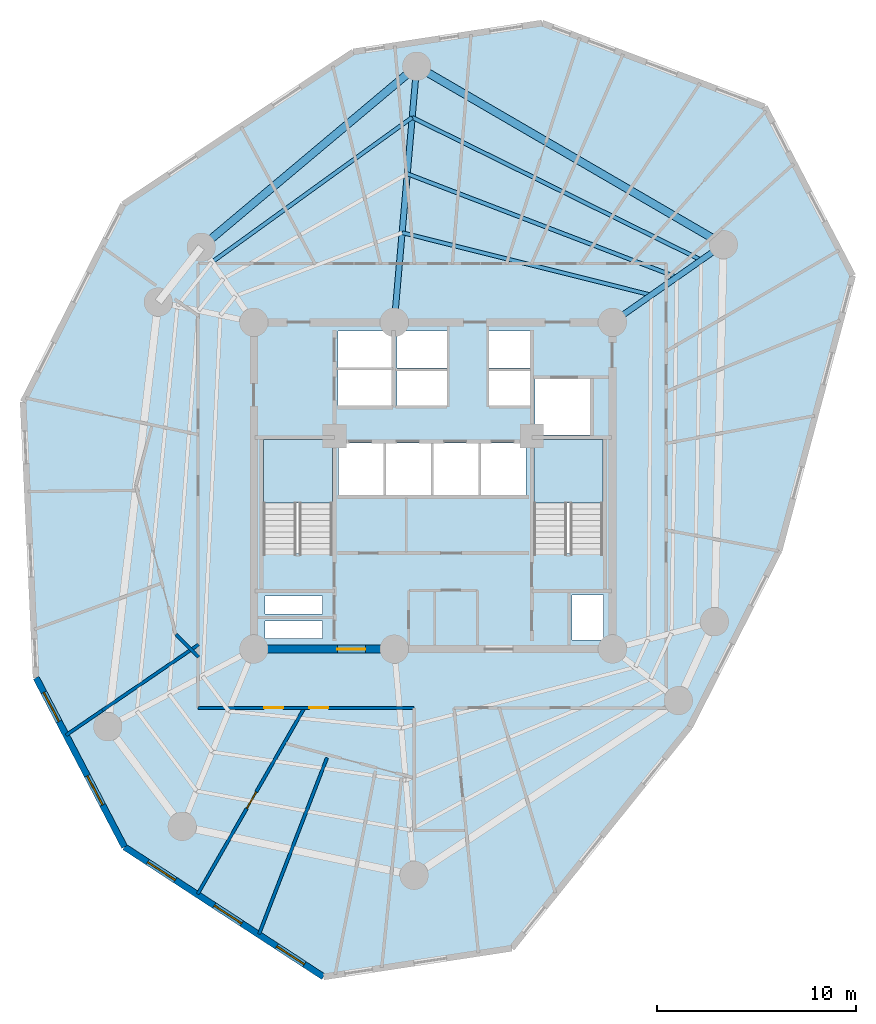
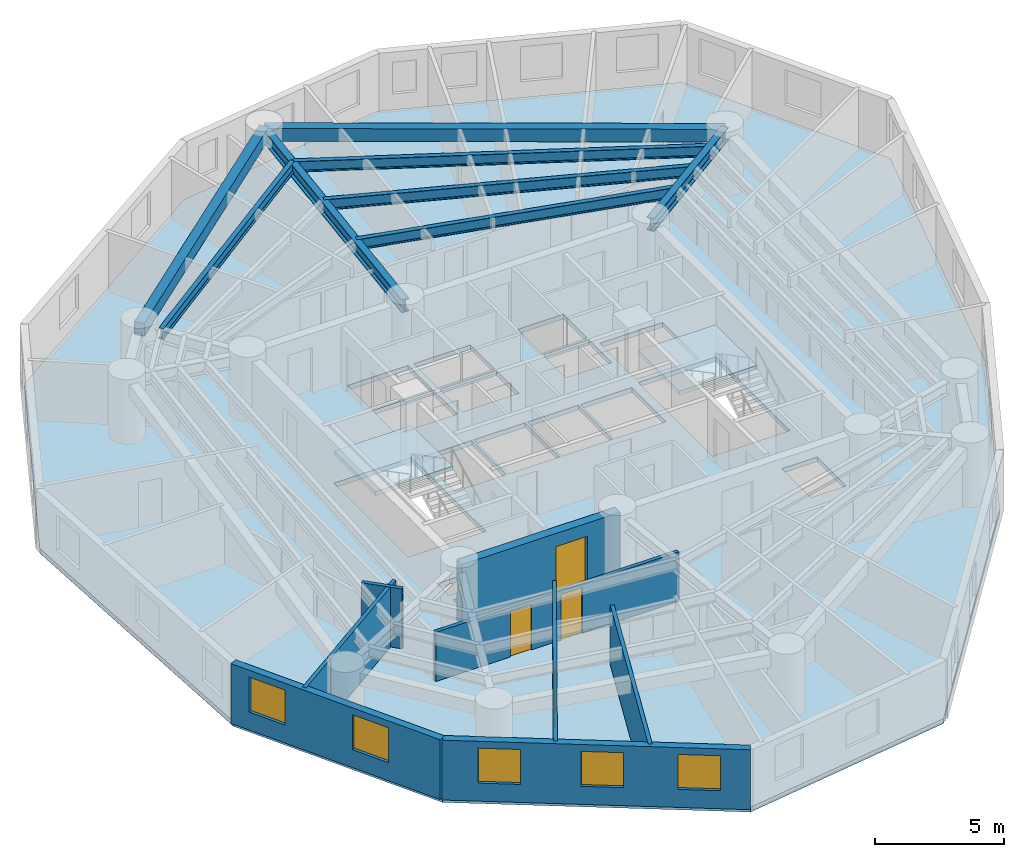
# One storey, part 2 of 8: 9 walls, 8 beams, 5 windows, 4 doors, 3 slabs, 9 openings, 2 elements without a shape of their own.
"""IFC4 building model written with IfcOpenShell, lengths in metres."""

from ifc_helpers import new_model, si_unit, direction, frame, frame_2d, origin, origin_with_axes, origin_2d, place, context, subcontext, project, spatial, polyline, rectangle, i_section, outline, extrude, source, transform, mapped, material, layer, layer_set, material_profile, profile_set, type_object, element, fill, aggregate, save


model = new_model("IFC4")

# Units and contexts
model_context = context("Model", 3, precision=1e-05, world=origin(), true_north=direction((0.0, 1.0)))
body_context = subcontext(model_context, "Body", "Model", "MODEL_VIEW")
ifc_project = project(units=[si_unit("LENGTHUNIT", "METRE"), si_unit("AREAUNIT", "SQUARE_METRE"), si_unit("VOLUMEUNIT", "CUBIC_METRE"), si_unit("PLANEANGLEUNIT", "RADIAN"), si_unit("MASSUNIT", "GRAM", prefix="KILO")], contexts=[model_context])

# Site, building, storey
site_placement = place(None, origin())
site = spatial("IfcSite", under=ifc_project, at=site_placement, CompositionType="ELEMENT")
building_placement = place(site_placement, origin())
building = spatial("IfcBuilding", under=site, at=building_placement, Name="Karkom Vertical University and Central Library", CompositionType="ELEMENT")
storey_placement = place(building_placement, frame((0.0, 0.0, 120.60009765625)))
storey = spatial("IfcBuildingStorey", under=building, at=storey_placement, Name="L33", CompositionType="ELEMENT", Elevation=120.60009765625)

# Beams
ifc_material_1 = material(Name="Precast concrete C45/55", Category="concrete")
ifc_material_profile_1 = material_profile(ifc_material_1, rectangle(XDim=0.39990234375, YDim=0.60009765625, at=origin_2d()), Name="SPB-400x600")
ifc_profile_set_1 = profile_set([ifc_material_profile_1], Name="Precast concrete C45/55")
beam_type_1 = type_object("IfcBeamType", Name="STR-BM-SP-1", PredefinedType="SPANDREL", material=ifc_profile_set_1)
shared_shape_1 = source(origin_with_axes(), body_context, "Body", "SweptSolid", [
    extrude(rectangle(XDim=0.39990234375, YDim=0.60009765625, at=origin_2d()), origin(), (0.0, 0.0, 1.0), 17.808837890625),
])
beam_1_placement = place(storey_placement, frame((43.070068359375, 38.60009765625, 2.52490234375), z_axis=(-0.864512866362, 0.502610688202, 0.0), x_axis=(-0.502610688202, -0.864512866362, 0.0)))
element("IfcBeam", 1, at=beam_1_placement, inside=storey, type_object=beam_type_1, Name="Level 33 Perimeter Spandrel Beam 02", PredefinedType="SPANDREL", context=body_context, shape_type="MappedRepresentation", body=[
    mapped(shared_shape_1, transform((0.0, 0.0, 0.0), scale=1.0)),
])
shared_shape_2 = source(origin_with_axes(), body_context, "Body", "SweptSolid", [
    extrude(rectangle(XDim=0.39990234375, YDim=0.60009765625, at=origin_2d()), origin(), (0.0, 0.0, 1.0), 14.120849609375),
])
beam_2_placement = place(storey_placement, frame((27.674072265625, 47.551025390625, 2.52490234375), z_axis=(-0.765672847866, -0.643230199883, 0.0), x_axis=(0.643230199883, -0.765672847866, 0.0)))
element("IfcBeam", 2, at=beam_2_placement, inside=storey, type_object=beam_type_1, Name="Level 33 Perimeter Spandrel Beam 03", PredefinedType="SPANDREL", context=body_context, shape_type="MappedRepresentation", body=[
    mapped(shared_shape_2, transform((0.0, 0.0, 0.0), scale=1.0)),
])
ifc_material_2 = material(Name="Steel S355", Category="steel")
ifc_material_profile_2 = material_profile(ifc_material_2, i_section(OverallWidth=0.199951171875, OverallDepth=0.5, WebThickness=0.01025390625, FlangeThickness=0.01611328125, FilletRadius=0.02099609375, at=origin_2d()), Name="IPE 500")
ifc_profile_set_2 = profile_set([ifc_material_profile_2], Name="Steel S355")
beam_type_2 = type_object("IfcBeamType", Name="STR-BM-SB-IPE500", PredefinedType="BEAM", material=ifc_profile_set_2)
shared_shape_3 = source(origin_with_axes(), body_context, "Body", "SweptSolid", [
    extrude(i_section(OverallWidth=0.199951171875, OverallDepth=0.5, WebThickness=0.01025390625, FlangeThickness=0.01611328125, FilletRadius=0.02099609375, at=origin_2d()), origin(), (0.0, 0.0, 1.0), 12.892578125),
])
beam_3_placement = place(storey_placement, frame((39.449462890625, 36.06494140625, 2.574951171875), z_axis=(-0.970023194321, 0.243012350468, 0.0), x_axis=(-0.243012350468, -0.970023194321, 0.0)))
element("IfcBeam", 3, at=beam_3_placement, inside=storey, type_object=beam_type_2, Name="Level 33 Secondary Composite Floor Beam 1.02", PredefinedType="BEAM", context=body_context, shape_type="MappedRepresentation", body=[
    mapped(shared_shape_3, transform((0.0, 0.0, 0.0), scale=1.0)),
])
shared_shape_4 = source(origin_with_axes(), body_context, "Body", "SweptSolid", [
    extrude(i_section(OverallWidth=0.199951171875, OverallDepth=0.5, WebThickness=0.01025390625, FlangeThickness=0.01611328125, FilletRadius=0.02099609375, at=origin_2d()), origin(), (0.0, 0.0, 1.0), 14.49072265625),
])
beam_4_placement = place(storey_placement, frame((40.730712890625, 36.9619140625, 2.574951171875), z_axis=(-0.93361673171, 0.35827335691, 0.0), x_axis=(-0.35827335691, -0.93361673171, 0.0)))
element("IfcBeam", 4, at=beam_4_placement, inside=storey, type_object=beam_type_2, Name="Level 33 Secondary Composite Floor Beam 2.02", PredefinedType="BEAM", context=body_context, shape_type="MappedRepresentation", body=[
    mapped(shared_shape_4, transform((0.0, 0.0, 0.0), scale=1.0)),
])
shared_shape_5 = source(origin_with_axes(), body_context, "Body", "SweptSolid", [
    extrude(i_section(OverallWidth=0.199951171875, OverallDepth=0.5, WebThickness=0.01025390625, FlangeThickness=0.01611328125, FilletRadius=0.02099609375, at=origin_2d()), origin(), (0.0, 0.0, 1.0), 16.177978515625),
])
beam_5_placement = place(storey_placement, frame((41.9560546875, 37.820068359375, 2.574951171875), z_axis=(-0.896709262653, 0.442620038263, 0.0), x_axis=(-0.442620038263, -0.896709262653, 0.0)))
element("IfcBeam", 5, at=beam_5_placement, inside=storey, type_object=beam_type_2, Name="Level 33 Secondary Composite Floor Beam 3.02", PredefinedType="BEAM", context=body_context, shape_type="MappedRepresentation", body=[
    mapped(shared_shape_5, transform((0.0, 0.0, 0.0), scale=1.0)),
])
shared_shape_6 = source(origin_with_axes(), body_context, "Body", "SweptSolid", [
    extrude(i_section(OverallWidth=0.199951171875, OverallDepth=0.5, WebThickness=0.01025390625, FlangeThickness=0.01611328125, FilletRadius=0.02099609375, at=origin_2d()), origin(), (0.0, 0.0, 1.0), 12.409423828125),
])
beam_6_placement = place(storey_placement, frame((27.44921875, 44.980712890625, 2.574951171875), z_axis=(-0.810636686292, -0.585549453793, 0.0), x_axis=(0.585549453793, -0.810636686292, 0.0)))
element("IfcBeam", 6, at=beam_6_placement, inside=storey, type_object=beam_type_2, Name="Level 33 Secondary Composite Floor Beam 3.03", PredefinedType="BEAM", context=body_context, shape_type="MappedRepresentation", body=[
    mapped(shared_shape_6, transform((0.0, 0.0, 0.0), scale=1.0)),
])
ifc_material_profile_3 = material_profile(ifc_material_2, i_section(OverallWidth=0.300048828125, OverallDepth=0.60009765625, WebThickness=0.015380859375, FlangeThickness=0.030029296875, FilletRadius=0.027099609375, at=origin_2d()), Name="HE 600 B")
ifc_profile_set_3 = profile_set([ifc_material_profile_3], Name="Steel S355")
beam_type_3 = type_object("IfcBeamType", Name="STR-BM-SB-HE600", PredefinedType="USERDEFINED", material=ifc_profile_set_3)
shared_shape_7 = source(origin_with_axes(), body_context, "Body", "SweptSolid", [
    extrude(i_section(OverallWidth=0.300048828125, OverallDepth=0.60009765625, WebThickness=0.015380859375, FlangeThickness=0.030029296875, FilletRadius=0.027099609375, at=origin_2d()), origin(), (0.0, 0.0, 1.0), 6.7998046875),
])
beam_7_placement = place(storey_placement, frame((37.5, 34.699951171875, 2.52490234375), z_axis=(0.819156008334, 0.573570775066, 0.0), x_axis=(-0.573570775066, 0.819156008334, 0.0)))
element("IfcBeam", 7, at=beam_7_placement, inside=storey, type_object=beam_type_3, Name="Level 33 Radial Frame Girder 02", ObjectType="GIRDER", PredefinedType="USERDEFINED", context=body_context, shape_type="MappedRepresentation", body=[
    mapped(shared_shape_7, transform((0.0, 0.0, 0.0), scale=1.0)),
])
shared_shape_8 = source(origin_with_axes(), body_context, "Body", "SweptSolid", [
    extrude(i_section(OverallWidth=0.300048828125, OverallDepth=0.60009765625, WebThickness=0.015380859375, FlangeThickness=0.030029296875, FilletRadius=0.027099609375, at=origin_2d()), origin(), (0.0, 0.0, 1.0), 12.900146484375),
])
beam_8_placement = place(storey_placement, frame((26.550048828125, 34.699951171875, 2.52490234375), z_axis=(0.087132673751, 0.996196716098, 0.0), x_axis=(-0.996196716098, 0.087132673751, 0.0)))
element("IfcBeam", 8, at=beam_8_placement, inside=storey, type_object=beam_type_3, Name="Level 33 Radial Frame Girder 03", ObjectType="GIRDER", PredefinedType="USERDEFINED", context=body_context, shape_type="MappedRepresentation", body=[
    mapped(shared_shape_8, transform((0.0, 0.0, 0.0), scale=1.0)),
])

# Stair, slab
ifc_material_3 = material(Name="Concrete C45/55", Category="concrete")
stair_type = type_object("IfcStairType", Name="INT-STR-ST-MAIN", PredefinedType="HALF_TURN_STAIR", material=ifc_material_3)
stair_1_placement = place(storey_placement, origin())
stair_1 = element("IfcStair", 9, at=stair_1_placement, inside=storey, type_object=stair_type, Name="Level 33 Tower Protected Exit Stair ST-1", PredefinedType="HALF_TURN_STAIR")
ifc_layer_1 = layer(ifc_material_3, 0.199951171875)
ifc_layer_set_1 = layer_set([ifc_layer_1], Name="Concrete C45/55")
slab_type_1 = type_object("IfcSlabType", Name="INT-SLB-LANDING", PredefinedType="LANDING", material=ifc_layer_set_1)
slab_1_placement = place(storey_placement, frame((0.0, 0.0, 1.324951171875)))
slab_1 = element("IfcSlab", 10, at=slab_1_placement, type_object=slab_type_1, Name="ST-1 landing 1", PredefinedType="LANDING", context=body_context, shape_type="SweptSolid", body=[
    extrude(outline(polyline([(23.43994140625, 25.6298828125), (23.43994140625, 28.820068359375), (19.97998046875, 28.820068359375), (19.97998046875, 25.6298828125), (23.43994140625, 25.6298828125)])), origin(), (0.0, 0.0, 1.0), 0.199951171875),
])
aggregate(stair_1, [slab_1])

stair_2_placement = place(storey_placement, origin())
stair_2 = element("IfcStair", 11, at=stair_2_placement, inside=storey, type_object=stair_type, Name="Level 33 Tower Protected Exit Stair ST-2", PredefinedType="HALF_TURN_STAIR")
slab_2_placement = place(storey_placement, frame((0.0, 0.0, 1.324951171875)))
slab_2 = element("IfcSlab", 12, at=slab_2_placement, type_object=slab_type_1, Name="ST-2 landing 1", PredefinedType="LANDING", context=body_context, shape_type="SweptSolid", body=[
    extrude(outline(polyline([(37.02001953125, 25.6298828125), (37.02001953125, 28.820068359375), (33.56005859375, 28.820068359375), (33.56005859375, 25.6298828125), (37.02001953125, 25.6298828125)])), origin(), (0.0, 0.0, 1.0), 0.199951171875),
])
aggregate(stair_2, [slab_2])

# Slab
ifc_layer_2 = layer(ifc_material_3, 0.22509765625)
ifc_layer_set_2 = layer_set([ifc_layer_2], Name="Concrete C45/55")
slab_type_2 = type_object("IfcSlabType", Name="STR-SLB-FLR-225", PredefinedType="FLOOR", material=ifc_layer_set_2)
slab_3_placement = place(storey_placement, frame((0.0, 0.0, -0.22509765625)))
element("IfcSlab", 13, at=slab_3_placement, inside=storey, type_object=slab_type_2, Name="Level 33 Tower Structural Floor Slab", PredefinedType="FLOOR", context=body_context, shape_type="SweptSolid", body=[
    extrude(outline(polyline([(12.94873046875, 40.60986328125), (7.92626953125, 30.701416015625), (8.5751953125, 16.857666015625), (13.00927734375, 8.36962890625), (22.998046875, 1.85009765625), (32.445068359375, 3.28857421875), (41.382080078125, 14.41064453125), (45.8662109375, 23.257080078125), (49.55322265625, 37.040283203125), (45.12890625, 45.510009765625), (33.96533203125, 49.7119140625), (24.498046875, 48.2705078125), (12.94873046875, 40.60986328125)]), holes=[polyline([(19.97998046875, 23.0849609375), (23.43994140625, 23.0849609375), (23.43994140625, 28.820068359375), (19.97998046875, 28.820068359375), (19.97998046875, 23.0849609375)]), polyline([(33.56005859375, 23.0849609375), (37.02001953125, 23.0849609375), (37.02001953125, 28.820068359375), (33.56005859375, 28.820068359375), (33.56005859375, 23.0849609375)]), polyline([(23.75, 26.0), (26.030029296875, 26.0), (26.030029296875, 28.64990234375), (23.75, 28.64990234375), (23.75, 26.0)]), polyline([(26.1298828125, 26.0), (28.409912109375, 26.0), (28.409912109375, 28.64990234375), (26.1298828125, 28.64990234375), (26.1298828125, 26.0)]), polyline([(28.510009765625, 26.0), (30.7900390625, 26.0), (30.7900390625, 28.64990234375), (28.510009765625, 28.64990234375), (28.510009765625, 26.0)]), polyline([(30.889892578125, 26.0), (33.169921875, 26.0), (33.169921875, 28.64990234375), (30.889892578125, 28.64990234375), (30.889892578125, 26.0)]), polyline([(26.679931640625, 30.5), (29.199951171875, 30.5), (29.199951171875, 32.25), (26.679931640625, 32.25), (26.679931640625, 30.5)]), polyline([(26.679931640625, 32.39990234375), (29.199951171875, 32.39990234375), (29.199951171875, 34.25), (26.679931640625, 34.25), (26.679931640625, 32.39990234375)]), polyline([(31.300048828125, 30.5), (33.35009765625, 30.5), (33.35009765625, 32.25), (31.300048828125, 32.25), (31.300048828125, 30.5)]), polyline([(31.300048828125, 32.39990234375), (33.35009765625, 32.39990234375), (33.35009765625, 34.25), (31.300048828125, 34.25), (31.300048828125, 32.39990234375)]), polyline([(23.719970703125, 30.47998046875), (26.429931640625, 30.47998046875), (26.429931640625, 32.320068359375), (23.719970703125, 32.320068359375), (23.719970703125, 30.47998046875)]), polyline([(23.719970703125, 32.419921875), (26.429931640625, 32.419921875), (26.429931640625, 34.260009765625), (23.719970703125, 34.260009765625), (23.719970703125, 32.419921875)]), polyline([(33.60009765625, 29.050048828125), (36.39990234375, 29.050048828125), (36.39990234375, 31.85009765625), (33.60009765625, 31.85009765625), (33.60009765625, 29.050048828125)]), polyline([(20.050048828125, 18.820068359375), (22.949951171875, 18.820068359375), (22.949951171875, 19.719970703125), (20.050048828125, 19.719970703125), (20.050048828125, 18.820068359375)]), polyline([(20.050048828125, 20.06005859375), (22.949951171875, 20.06005859375), (22.949951171875, 20.9599609375), (20.050048828125, 20.9599609375), (20.050048828125, 20.06005859375)]), polyline([(35.4599609375, 18.760009765625), (37.0400390625, 18.760009765625), (37.0400390625, 21.010009765625), (35.4599609375, 21.010009765625), (35.4599609375, 18.760009765625)])]), origin(), (0.0, 0.0, 1.0), 0.22509765625),
])

# Wall, openings, windows
ifc_material_4 = material(Name="Brick-faced precast concrete C45/55", Category="masonry")
ifc_layer_3 = layer(ifc_material_4, 0.320068359375)
ifc_layer_set_3 = layer_set([ifc_layer_3], Name="Brick-faced precast concrete C45/55")
wall_type_1 = type_object("IfcWallType", Name="ENV-WL-BRK-320", PredefinedType="SOLIDWALL", material=ifc_layer_set_3)
wall_1_placement = place(storey_placement, frame((8.5751953125, 16.857666015625, 0.0), z_axis=(0.0, 0.0, 1.0), x_axis=(0.463020745412, -0.886347442778, 0.0)))
wall_1 = element("IfcWall", 14, at=wall_1_placement, inside=storey, type_object=wall_type_1, Name="Level 33 Brick-Faced Precast Facade Wall 03", PredefinedType="SOLIDWALL", context=body_context, shape_type="SweptSolid", body=[
    extrude(rectangle(XDim=9.576416015625, YDim=0.320068359375, at=frame_2d((4.7880859375, 0.0))), origin(), (0.0, 0.0, 1.0), 2.824951171875),
])
opening_1_placement = place(wall_1_placement, frame((0.824951171875, 0.0, 0.85009765625)))
opening_1 = element("IfcOpeningElement", 15, at=opening_1_placement, cuts=wall_1, Name="Opening WN-06", PredefinedType="OPENING", context=body_context, shape_type="SweptSolid", body=[
    extrude(rectangle(XDim=1.64990234375, YDim=1.64990234375, at=frame_2d((0.824951171875, 0.824951171875))), frame((0.0, 0.169921875, 0.0), z_axis=(0.0, -1.0, 0.0), x_axis=(1.0, 0.0, 0.0)), (0.0, 0.0, 1.0), 0.340087890625),
])
opening_2_placement = place(wall_1_placement, frame((5.552978515625, 0.0, 0.85009765625)))
opening_2 = element("IfcOpeningElement", 16, at=opening_2_placement, cuts=wall_1, Name="Opening WN-06", PredefinedType="OPENING", context=body_context, shape_type="SweptSolid", body=[
    extrude(rectangle(XDim=1.64990234375, YDim=1.64990234375, at=frame_2d((0.824951171875, 0.824951171875))), frame((0.0, 0.169921875, 0.0), z_axis=(0.0, -1.0, 0.0), x_axis=(1.0, 0.0, 0.0)), (0.0, 0.0, 1.0), 0.340087890625),
])
ifc_material_5 = material(Name="Aluminium thermal-break frame with solar-control IGU", Category="aluminium")
window_type = type_object("IfcWindowType", Name="ENV-WIN-WN-06", PartitioningType="SINGLE_PANEL", PredefinedType="WINDOW", material=ifc_material_5)
shared_shape_9 = source(origin_with_axes(), body_context, "Body", "SweptSolid", [
    extrude(rectangle(XDim=1.64990234375, YDim=1.64990234375, at=frame_2d((0.824951171875, 0.824951171875))), frame((0.0, 0.030029296875, 0.0), z_axis=(0.0, -1.0, 0.0), x_axis=(1.0, 0.0, 0.0)), (0.0, 0.0, 1.0), 0.06005859375),
])
window_1_placement = place(opening_1_placement, origin())
window_1 = element("IfcWindow", 17, at=window_1_placement, inside=storey, type_object=window_type, Name="Level 33 Punched Window 3.1", OverallHeight=1.64990234375, OverallWidth=1.64990234375, PartitioningType="SINGLE_PANEL", PredefinedType="WINDOW", context=body_context, shape_type="MappedRepresentation", body=[
    mapped(shared_shape_9, transform((0.0, 0.0, 0.0), scale=1.0)),
])
fill(opening_1, window_1)
window_2_placement = place(opening_2_placement, origin())
window_2 = element("IfcWindow", 18, at=window_2_placement, inside=storey, type_object=window_type, Name="Level 33 Punched Window 3.2", OverallHeight=1.64990234375, OverallWidth=1.64990234375, PartitioningType="SINGLE_PANEL", PredefinedType="WINDOW", context=body_context, shape_type="MappedRepresentation", body=[
    mapped(shared_shape_9, transform((0.0, 0.0, 0.0), scale=1.0)),
])
fill(opening_2, window_2)

wall_2_placement = place(storey_placement, frame((13.00927734375, 8.36962890625, 0.0), z_axis=(0.0, 0.0, 1.0), x_axis=(0.837414281162, -0.546568679771, 0.0)))
wall_2 = element("IfcWall", 19, at=wall_2_placement, inside=storey, type_object=wall_type_1, Name="Level 33 Brick-Faced Precast Facade Wall 04", PredefinedType="SOLIDWALL", context=body_context, shape_type="SweptSolid", body=[
    extrude(rectangle(XDim=11.92822265625, YDim=0.320068359375, at=frame_2d((5.964111328125, 0.0))), origin(), (0.0, 0.0, 1.0), 2.824951171875),
])
opening_3_placement = place(wall_2_placement, frame((1.388916015625, 0.0, 0.85009765625)))
opening_3 = element("IfcOpeningElement", 20, at=opening_3_placement, cuts=wall_2, Name="Opening WN-06", PredefinedType="OPENING", context=body_context, shape_type="SweptSolid", body=[
    extrude(rectangle(XDim=1.64990234375, YDim=1.64990234375, at=frame_2d((0.824951171875, 0.824951171875))), frame((0.0, 0.169921875, 0.0), z_axis=(0.0, -1.0, 0.0), x_axis=(1.0, 0.0, 0.0)), (0.0, 0.0, 1.0), 0.340087890625),
])
opening_4_placement = place(wall_2_placement, frame((5.37890625, 0.0, 0.85009765625)))
opening_4 = element("IfcOpeningElement", 21, at=opening_4_placement, cuts=wall_2, Name="Opening WN-06", PredefinedType="OPENING", context=body_context, shape_type="SweptSolid", body=[
    extrude(rectangle(XDim=1.64990234375, YDim=1.64990234375, at=frame_2d((0.824951171875, 0.824951171875))), frame((0.0, 0.169921875, 0.0), z_axis=(0.0, -1.0, 0.0), x_axis=(1.0, 0.0, 0.0)), (0.0, 0.0, 1.0), 0.340087890625),
])
opening_5_placement = place(wall_2_placement, frame((9.129150390625, 0.0, 0.85009765625)))
opening_5 = element("IfcOpeningElement", 22, at=opening_5_placement, cuts=wall_2, Name="Opening WN-06", PredefinedType="OPENING", context=body_context, shape_type="SweptSolid", body=[
    extrude(rectangle(XDim=1.64990234375, YDim=1.64990234375, at=frame_2d((0.824951171875, 0.824951171875))), frame((0.0, 0.169921875, 0.0), z_axis=(0.0, -1.0, 0.0), x_axis=(1.0, 0.0, 0.0)), (0.0, 0.0, 1.0), 0.340087890625),
])
window_3_placement = place(opening_3_placement, origin())
window_3 = element("IfcWindow", 23, at=window_3_placement, inside=storey, type_object=window_type, Name="Level 33 Punched Window 4.1", OverallHeight=1.64990234375, OverallWidth=1.64990234375, PartitioningType="SINGLE_PANEL", PredefinedType="WINDOW", context=body_context, shape_type="MappedRepresentation", body=[
    mapped(shared_shape_9, transform((0.0, 0.0, 0.0), scale=1.0)),
])
fill(opening_3, window_3)
window_4_placement = place(opening_4_placement, origin())
window_4 = element("IfcWindow", 24, at=window_4_placement, inside=storey, type_object=window_type, Name="Level 33 Punched Window 4.2", OverallHeight=1.64990234375, OverallWidth=1.64990234375, PartitioningType="SINGLE_PANEL", PredefinedType="WINDOW", context=body_context, shape_type="MappedRepresentation", body=[
    mapped(shared_shape_9, transform((0.0, 0.0, 0.0), scale=1.0)),
])
fill(opening_4, window_4)
window_5_placement = place(opening_5_placement, origin())
window_5 = element("IfcWindow", 25, at=window_5_placement, inside=storey, type_object=window_type, Name="Level 33 Punched Window 4.3", OverallHeight=1.64990234375, OverallWidth=1.64990234375, PartitioningType="SINGLE_PANEL", PredefinedType="WINDOW", context=body_context, shape_type="MappedRepresentation", body=[
    mapped(shared_shape_9, transform((0.0, 0.0, 0.0), scale=1.0)),
])
fill(opening_5, window_5)

# Wall, openings, doors
ifc_material_6 = material(Name="Insulated metal-stud drywall 160mm", Category="gypsum")
ifc_layer_4 = layer(ifc_material_6, 0.159912109375)
ifc_layer_set_4 = layer_set([ifc_layer_4], Name="Insulated metal-stud drywall 160mm")
wall_type_2 = type_object("IfcWallType", Name="INT-WL-COR-160", PredefinedType="PARTITIONING", material=ifc_layer_set_4)
wall_3_placement = place(storey_placement, frame((27.550048828125, 15.35009765625, 0.0), z_axis=(0.0, 0.0, 1.0), x_axis=(-1.0, 0.0, 0.0)))
wall_3 = element("IfcWall", 26, at=wall_3_placement, inside=storey, type_object=wall_type_2, Name="Level 33 Interior Partition Wall L33-CORW-CW-001", PredefinedType="PARTITIONING", context=body_context, shape_type="SweptSolid", body=[
    extrude(rectangle(XDim=10.85009765625, YDim=0.159912109375, at=frame_2d((5.425048828125, 0.0))), origin(), (0.0, 0.0, 1.0), 2.324951171875),
])
opening_6_placement = place(wall_3_placement, frame((6.577392578125, 0.0, 0.0)))
opening_6 = element("IfcOpeningElement", 27, at=opening_6_placement, cuts=wall_3, Name="Opening D-RM1", PredefinedType="OPENING", context=body_context, shape_type="SweptSolid", body=[
    extrude(rectangle(XDim=0.949951171875, YDim=2.14990234375, at=frame_2d((0.47509765625, 1.074951171875))), frame((0.0, 0.08984375, 0.0), z_axis=(0.0, -1.0, 0.0), x_axis=(1.0, 0.0, 0.0)), (0.0, 0.0, 1.0), 0.179931640625),
])
opening_7_placement = place(wall_3_placement, frame((4.31005859375, 0.0, 0.0)))
opening_7 = element("IfcOpeningElement", 28, at=opening_7_placement, cuts=wall_3, Name="Opening D-RM1", PredefinedType="OPENING", context=body_context, shape_type="SweptSolid", body=[
    extrude(rectangle(XDim=0.949951171875, YDim=2.14990234375, at=frame_2d((0.47509765625, 1.074951171875))), frame((0.0, 0.08984375, 0.0), z_axis=(0.0, -1.0, 0.0), x_axis=(1.0, 0.0, 0.0)), (0.0, 0.0, 1.0), 0.179931640625),
])
ifc_material_7 = material(Name="Solid-core oak veneer door", Category="wood")
door_type_1 = type_object("IfcDoorType", Name="INT-DR-RM1", OperationType="NOTDEFINED", PredefinedType="DOOR", material=ifc_material_7)
shared_shape_10 = source(origin_with_axes(), body_context, "Body", "SweptSolid", [
    extrude(rectangle(XDim=0.949951171875, YDim=2.14990234375, at=frame_2d((0.47509765625, 1.074951171875))), frame((0.0, 0.02490234375, 0.0), z_axis=(0.0, -1.0, 0.0), x_axis=(1.0, 0.0, 0.0)), (0.0, 0.0, 1.0), 0.050048828125),
])
door_1_placement = place(opening_6_placement, origin())
door_1 = element("IfcDoor", 29, at=door_1_placement, inside=storey, type_object=door_type_1, Name="Level 33 Room Entry Door 030", OperationType="SINGLE_SWING_RIGHT", OverallHeight=2.14990234375, OverallWidth=0.949951171875, PredefinedType="DOOR", context=body_context, shape_type="MappedRepresentation", body=[
    mapped(shared_shape_10, transform((0.0, 0.0, 0.0), scale=1.0)),
])
fill(opening_6, door_1)
door_2_placement = place(opening_7_placement, origin())
door_2 = element("IfcDoor", 30, at=door_2_placement, inside=storey, type_object=door_type_1, Name="Level 33 Room Entry Door 050", OperationType="SINGLE_SWING_LEFT", OverallHeight=2.14990234375, OverallWidth=0.949951171875, PredefinedType="DOOR", context=body_context, shape_type="MappedRepresentation", body=[
    mapped(shared_shape_10, transform((0.0, 0.0, 0.0), scale=1.0)),
])
fill(opening_7, door_2)

# Wall, opening, door
wall_4_placement = place(storey_placement, frame((22.0625, 15.388916015625, 0.0), z_axis=(0.0, 0.0, 1.0), x_axis=(-0.497273379803, -0.867593906006, 0.0)))
wall_4 = element("IfcWall", 31, at=wall_4_placement, inside=storey, type_object=wall_type_2, Name="Level 33 Interior Partition Wall L33-PW-009", PredefinedType="PARTITIONING", context=body_context, shape_type="SweptSolid", body=[
    extrude(rectangle(XDim=10.8193359375, YDim=0.159912109375, at=frame_2d((5.40966796875, 0.0))), origin(), (0.0, 0.0, 1.0), 2.824951171875),
])
opening_8_placement = place(wall_4_placement, frame((4.90966796875, 0.0, 0.0)))
opening_8 = element("IfcOpeningElement", 32, at=opening_8_placement, cuts=wall_4, Name="Opening D-RM1", PredefinedType="OPENING", context=body_context, shape_type="SweptSolid", body=[
    extrude(rectangle(XDim=0.949951171875, YDim=2.14990234375, at=frame_2d((0.47509765625, 1.074951171875))), frame((0.0, 0.08984375, 0.0), z_axis=(0.0, -1.0, 0.0), x_axis=(1.0, 0.0, 0.0)), (0.0, 0.0, 1.0), 0.179931640625),
])
door_3_placement = place(opening_8_placement, origin())
door_3 = element("IfcDoor", 33, at=door_3_placement, inside=storey, type_object=door_type_1, Name="Level 33 Room Entry Door 040", OperationType="SINGLE_SWING_RIGHT", OverallHeight=2.14990234375, OverallWidth=0.949951171875, PredefinedType="DOOR", context=body_context, shape_type="MappedRepresentation", body=[
    mapped(shared_shape_10, transform((0.0, 0.0, 0.0), scale=1.0)),
])
fill(opening_8, door_3)

# Walls
wall_5_placement = place(storey_placement, frame((23.173583984375, 12.844482421875, 0.0), z_axis=(0.0, 0.0, 1.0), x_axis=(-0.359556783884, -0.933123206851, 0.0)))
element("IfcWall", 34, at=wall_5_placement, inside=storey, type_object=wall_type_2, Name="Level 33 Interior Partition Wall L33-PW-011", PredefinedType="PARTITIONING", context=body_context, shape_type="SweptSolid", body=[
    extrude(rectangle(XDim=9.485595703125, YDim=0.159912109375, at=frame_2d((4.74267578125, 0.0))), origin(), (0.0, 0.0, 1.0), 2.824951171875),
])
wall_6_placement = place(storey_placement, frame((16.724853515625, 18.52294921875, 0.0), z_axis=(0.0, 0.0, 1.0), x_axis=(-0.825538633176, -0.564345607881, 0.0)))
element("IfcWall", 35, at=wall_6_placement, inside=storey, type_object=wall_type_2, Name="Level 33 Interior Partition Wall L33-PW-008", PredefinedType="PARTITIONING", context=body_context, shape_type="SweptSolid", body=[
    extrude(rectangle(XDim=5.84765625, YDim=0.159912109375, at=frame_2d((2.923828125, 0.0))), origin(), (0.0, 0.0, 1.0), 2.824951171875),
])
wall_7_placement = place(storey_placement, frame((16.731689453125, 17.890869140625, 0.0), z_axis=(0.0, 0.0, 1.0), x_axis=(-0.707031752615, 0.707181801798, 0.0)))
element("IfcWall", 36, at=wall_7_placement, inside=storey, type_object=wall_type_2, Name="Level 33 Interior Partition Wall L33-PW-002", PredefinedType="PARTITIONING", context=body_context, shape_type="SweptSolid", body=[
    extrude(rectangle(XDim=1.626953125, YDim=0.159912109375, at=frame_2d((0.8134765625, 0.0))), origin(), (0.0, 0.0, 1.0), 2.824951171875),
])
wall_8_placement = place(storey_placement, frame((11.893310546875, 15.22021484375, 0.0), z_axis=(0.0, 0.0, 1.0), x_axis=(-0.825524898872, -0.564365698234, 0.0)))
element("IfcWall", 37, at=wall_8_placement, inside=storey, type_object=wall_type_2, Name="Level 33 Interior Partition Wall L33-PW-007", PredefinedType="PARTITIONING", context=body_context, shape_type="SweptSolid", body=[
    extrude(rectangle(XDim=2.20068359375, YDim=0.159912109375, at=frame_2d((1.100341796875, 0.0))), origin(), (0.0, 0.0, 1.0), 2.824951171875),
])

# Wall, opening, door
ifc_material_8 = material(Name="Concrete C50/60", Category="concrete")
ifc_layer_5 = layer(ifc_material_8, 0.39990234375)
ifc_layer_set_5 = layer_set([ifc_layer_5], Name="Concrete C50/60")
wall_type_3 = type_object("IfcWallType", Name="STR-WL-CW-400", PredefinedType="SHEAR", material=ifc_layer_set_5)
wall_9_placement = place(storey_placement, frame((19.5, 18.300048828125, 0.0), z_axis=(0.0, 0.0, 1.0), x_axis=(1.0, 0.0, 0.0)))
wall_9 = element("IfcWall", 38, at=wall_9_placement, inside=storey, type_object=wall_type_3, Name="Level 33 Central Core Shear Wall SW1", PredefinedType="SHEAR", context=body_context, shape_type="SweptSolid", body=[
    extrude(rectangle(XDim=7.050048828125, YDim=0.39990234375, at=frame_2d((3.52490234375, 0.0))), origin(), (0.0, 0.0, 1.0), 2.824951171875),
])
opening_9_placement = place(wall_9_placement, frame((4.199951171875, 0.0, 0.0)))
opening_9 = element("IfcOpeningElement", 39, at=opening_9_placement, cuts=wall_9, Name="Opening FD-CLB", PredefinedType="OPENING", context=body_context, shape_type="SweptSolid", body=[
    extrude(rectangle(XDim=1.39990234375, YDim=2.199951171875, at=frame_2d((0.699951171875, 1.10009765625))), frame((0.0, 0.2099609375, 0.0), z_axis=(0.0, -1.0, 0.0), x_axis=(1.0, 0.0, 0.0)), (0.0, 0.0, 1.0), 0.419921875),
])
ifc_material_9 = material(Name="Painted steel fire door", Category="steel")
door_type_2 = type_object("IfcDoorType", Name="INT-DR-CLB", OperationType="DOUBLE_DOOR_SINGLE_SWING", PredefinedType="DOOR", material=ifc_material_9)
shared_shape_11 = source(origin_with_axes(), body_context, "Body", "SweptSolid", [
    extrude(rectangle(XDim=1.39990234375, YDim=2.199951171875, at=frame_2d((0.699951171875, 1.10009765625))), frame((0.0, 0.02490234375, 0.0), z_axis=(0.0, -1.0, 0.0), x_axis=(1.0, 0.0, 0.0)), (0.0, 0.0, 1.0), 0.050048828125),
])
door_4_placement = place(opening_9_placement, origin())
door_4 = element("IfcDoor", 40, at=door_4_placement, inside=storey, type_object=door_type_2, Name="Level 33 South Core Lobby West Exit Door", OperationType="DOUBLE_DOOR_SINGLE_SWING", OverallHeight=2.199951171875, OverallWidth=1.39990234375, PredefinedType="DOOR", context=body_context, shape_type="MappedRepresentation", body=[
    mapped(shared_shape_11, transform((0.0, 0.0, 0.0), scale=1.0)),
])
fill(opening_9, door_4)

save(model, "model.ifc")
